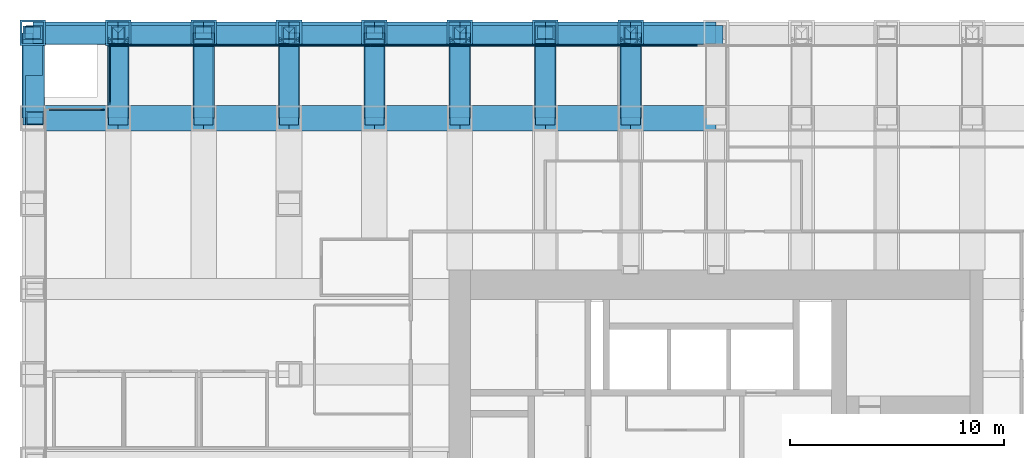
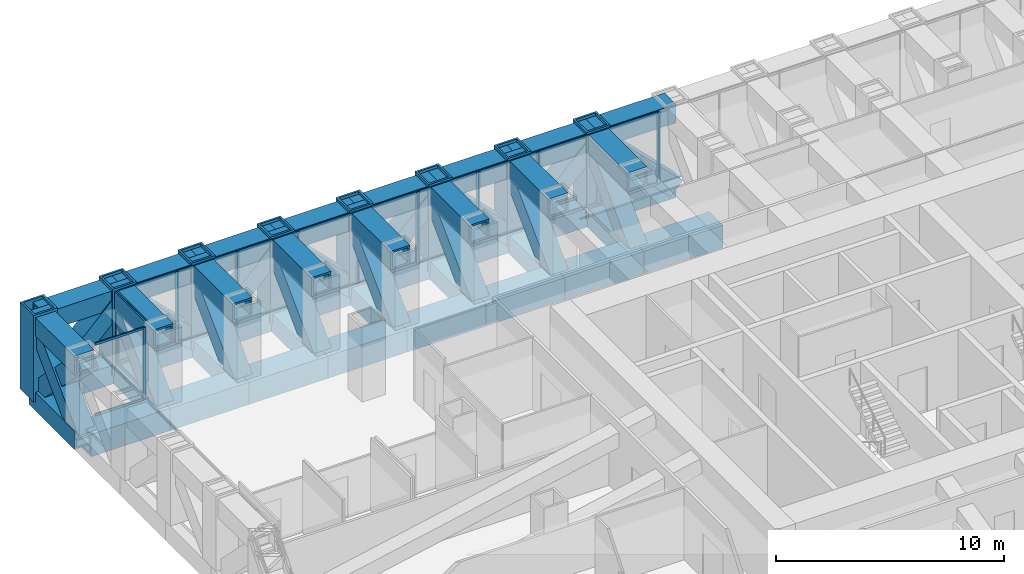
# One storey, part 8 of 18: 60 members, 40 beams, 3 elements without a shape of their own.
"""IFC4 building model written with IfcOpenShell, lengths in metres."""

from ifc_helpers import new_model, si_unit, direction, frame, origin, origin_2d, place, context, subcontext, project, spatial, rectangle, hollow_rectangle, extrude, material, material_profile, profile_set, type_object, element, aggregate, save


model = new_model("IFC4")

# Units and contexts
model_context = context("Model", 3, precision=1e-05, world=origin(), true_north=direction((0.0, 1.0)))
body_context = subcontext(model_context, "Body", "Model", "MODEL_VIEW")
ifc_project = project(units=[si_unit("LENGTHUNIT", "METRE"), si_unit("AREAUNIT", "SQUARE_METRE"), si_unit("VOLUMEUNIT", "CUBIC_METRE"), si_unit("PLANEANGLEUNIT", "RADIAN"), si_unit("MASSUNIT", "GRAM", prefix="KILO")], contexts=[model_context])

# Site, building, storey
site_placement = place(None, origin())
site = spatial("IfcSite", under=ifc_project, at=site_placement, CompositionType="ELEMENT")
building_placement = place(site_placement, origin())
building = spatial("IfcBuilding", under=site, at=building_placement, Name="Rimbunsela Tower", CompositionType="ELEMENT")
storey_placement = place(building_placement, frame((0.0, 0.0, 43.0)))
storey = spatial("IfcBuildingStorey", under=building, at=storey_placement, Name="L10", CompositionType="ELEMENT", Elevation=43.0)

# Beams
ifc_material_1 = material(Name="Steel BJ 55 (fy 410 MPa)", Category="steel")
ifc_material_profile_1 = material_profile(ifc_material_1, hollow_rectangle(XDim=1.199951171875, YDim=1.199951171875, WallThickness=0.125, at=origin_2d()), Name="BOX 1200x1200x125")
ifc_profile_set_1 = profile_set([ifc_material_profile_1], Name="Steel BJ 55 (fy 410 MPa)")
beam_type_1 = type_object("IfcBeamType", Name="Beam BOX 1200x1200x125", PredefinedType="BEAM", material=ifc_profile_set_1)
for number, where, z_axis, x_axis, name in (
    (1, (-2.0, 44.0, -0.75), (1.0, 0.0, 0.0), (0.0, 1.0, 0.0), "Beam B4 L10"),
    (2, (2.0, 44.0, -0.75), (1.0, 0.0, 0.0), (0.0, 1.0, 0.0), "Beam B4 L10"),
    (3, (6.0, 44.0, -0.75), (1.0, 0.0, 0.0), (0.0, 1.0, 0.0), "Beam B4 L10"),
    (4, (10.0, 44.0, -0.75), (1.0, 0.0, 0.0), (0.0, 1.0, 0.0), "Beam B4 L10"),
    (5, (14.0, 44.0, -0.75), (1.0, 0.0, 0.0), (0.0, 1.0, 0.0), "Beam B4 L10"),
    (6, (18.0, 44.0, -0.75), (1.0, 0.0, 0.0), (0.0, 1.0, 0.0), "Beam B4 L10"),
    (7, (22.0, 44.0, -0.75), (1.0, 0.0, 0.0), (0.0, 1.0, 0.0), "Beam B4 L10"),
    (8, (26.0, 44.0, -0.75), (1.0, 0.0, 0.0), (0.0, 1.0, 0.0), "Beam B4 L10"),
):
    element("IfcBeam", number, at=place(storey_placement, frame(where, z_axis=z_axis, x_axis=x_axis)), inside=storey, type_object=beam_type_1, Name=name, PredefinedType="BEAM", context=body_context, shape_type="SweptSolid", body=[
        extrude(hollow_rectangle(XDim=1.199951171875, YDim=1.199951171875, WallThickness=0.125, at=origin_2d()), origin(), (0.0, 0.0, 1.0), 4.0),
    ])

# Curtain wall, members
ifc_material_2 = material(Name="Aluminium curtain wall", Category="aluminium")
curtain_wall_type_1 = type_object("IfcCurtainWallType", Name="Exoskeleton storey infill", PredefinedType="USERDEFINED", material=ifc_material_2)
curtain_wall_1_placement = place(storey_placement, origin())
curtain_wall_1 = element("IfcCurtainWall", 9, at=curtain_wall_1_placement, inside=storey, type_object=curtain_wall_type_1, Name="Exoskeleton storey infill L10", ObjectType="EXOSKELETON STOREY INFILL", PredefinedType="USERDEFINED")
ifc_material_3 = material(Name="Aluminium mullion", Category="aluminium")
ifc_material_profile_2 = material_profile(ifc_material_3, rectangle(XDim=0.06005859375, YDim=0.159912109375, at=origin_2d()), Name="Mullion 60x160")
ifc_profile_set_2 = profile_set([ifc_material_profile_2], Name="Aluminium mullion")
member_type_1 = type_object("IfcMemberType", Name="Curtain wall mullion 60x160", PredefinedType="MULLION", material=ifc_profile_set_2)
member_1_placement = place(storey_placement, frame((29.050048828125, 47.39990234375, 0.0), z_axis=(0.0, 0.0, 1.0), x_axis=(0.0, -1.0, 0.0)))
member_1 = element("IfcMember", 10, at=member_1_placement, type_object=member_type_1, Name="CW2 mullion 8", PredefinedType="MULLION", context=body_context, shape_type="SweptSolid", body=[
    extrude(rectangle(XDim=0.06005859375, YDim=0.159912109375, at=origin_2d()), origin(), (0.0, 0.0, 1.0), 3.85009765625),
])
member_2_placement = place(storey_placement, frame((26.0, 47.39990234375, 0.0), z_axis=(0.0, 0.0, 1.0), x_axis=(0.0, -1.0, 0.0)))
member_2 = element("IfcMember", 11, at=member_2_placement, type_object=member_type_1, Name="CW2 mullion 9", PredefinedType="MULLION", context=body_context, shape_type="SweptSolid", body=[
    extrude(rectangle(XDim=0.06005859375, YDim=0.159912109375, at=origin_2d()), origin(), (0.0, 0.0, 1.0), 3.85009765625),
])
member_3_placement = place(storey_placement, frame((22.949951171875, 47.39990234375, 0.0), z_axis=(0.0, 0.0, 1.0), x_axis=(0.0, -1.0, 0.0)))
member_3 = element("IfcMember", 12, at=member_3_placement, type_object=member_type_1, Name="CW2 mullion 10", PredefinedType="MULLION", context=body_context, shape_type="SweptSolid", body=[
    extrude(rectangle(XDim=0.06005859375, YDim=0.159912109375, at=origin_2d()), origin(), (0.0, 0.0, 1.0), 3.85009765625),
])
member_4_placement = place(storey_placement, frame((19.89990234375, 47.39990234375, 0.0), z_axis=(0.0, 0.0, 1.0), x_axis=(0.0, -1.0, 0.0)))
member_4 = element("IfcMember", 13, at=member_4_placement, type_object=member_type_1, Name="CW2 mullion 11", PredefinedType="MULLION", context=body_context, shape_type="SweptSolid", body=[
    extrude(rectangle(XDim=0.06005859375, YDim=0.159912109375, at=origin_2d()), origin(), (0.0, 0.0, 1.0), 3.85009765625),
])
member_5_placement = place(storey_placement, frame((16.85009765625, 47.39990234375, 0.0), z_axis=(0.0, 0.0, 1.0), x_axis=(0.0, -1.0, 0.0)))
member_5 = element("IfcMember", 14, at=member_5_placement, type_object=member_type_1, Name="CW2 mullion 12", PredefinedType="MULLION", context=body_context, shape_type="SweptSolid", body=[
    extrude(rectangle(XDim=0.06005859375, YDim=0.159912109375, at=origin_2d()), origin(), (0.0, 0.0, 1.0), 3.85009765625),
])
member_6_placement = place(storey_placement, frame((13.800048828125, 47.39990234375, 0.0), z_axis=(0.0, 0.0, 1.0), x_axis=(0.0, -1.0, 0.0)))
member_6 = element("IfcMember", 15, at=member_6_placement, type_object=member_type_1, Name="CW2 mullion 13", PredefinedType="MULLION", context=body_context, shape_type="SweptSolid", body=[
    extrude(rectangle(XDim=0.06005859375, YDim=0.159912109375, at=origin_2d()), origin(), (0.0, 0.0, 1.0), 3.85009765625),
])
member_7_placement = place(storey_placement, frame((10.75, 47.39990234375, 0.0), z_axis=(0.0, 0.0, 1.0), x_axis=(0.0, -1.0, 0.0)))
member_7 = element("IfcMember", 16, at=member_7_placement, type_object=member_type_1, Name="CW2 mullion 14", PredefinedType="MULLION", context=body_context, shape_type="SweptSolid", body=[
    extrude(rectangle(XDim=0.06005859375, YDim=0.159912109375, at=origin_2d()), origin(), (0.0, 0.0, 1.0), 3.85009765625),
])
member_8_placement = place(storey_placement, frame((7.699951171875, 47.39990234375, 0.0), z_axis=(0.0, 0.0, 1.0), x_axis=(0.0, -1.0, 0.0)))
member_8 = element("IfcMember", 17, at=member_8_placement, type_object=member_type_1, Name="CW2 mullion 15", PredefinedType="MULLION", context=body_context, shape_type="SweptSolid", body=[
    extrude(rectangle(XDim=0.06005859375, YDim=0.159912109375, at=origin_2d()), origin(), (0.0, 0.0, 1.0), 3.85009765625),
])
member_9_placement = place(storey_placement, frame((4.64990234375, 47.39990234375, 0.0), z_axis=(0.0, 0.0, 1.0), x_axis=(0.0, -1.0, 0.0)))
member_9 = element("IfcMember", 18, at=member_9_placement, type_object=member_type_1, Name="CW2 mullion 16", PredefinedType="MULLION", context=body_context, shape_type="SweptSolid", body=[
    extrude(rectangle(XDim=0.06005859375, YDim=0.159912109375, at=origin_2d()), origin(), (0.0, 0.0, 1.0), 3.85009765625),
])
member_10_placement = place(storey_placement, frame((1.6298828125, 47.39990234375, 0.0), z_axis=(0.0, 0.0, 1.0), x_axis=(0.0, -1.0, 0.0)))
member_10 = element("IfcMember", 19, at=member_10_placement, type_object=member_type_1, Name="CW2 mullion 17", PredefinedType="MULLION", context=body_context, shape_type="SweptSolid", body=[
    extrude(rectangle(XDim=0.06005859375, YDim=0.159912109375, at=origin_2d()), origin(), (0.0, 0.0, 1.0), 3.85009765625),
])

ifc_material_4 = material(Name="Aluminium curtain wall", Category="aluminium")
curtain_wall_type_2 = type_object("IfcCurtainWallType", Name="Spandrel wall", PredefinedType="USERDEFINED", material=ifc_material_4)
curtain_wall_2_placement = place(storey_placement, origin())
curtain_wall_2 = element("IfcCurtainWall", 20, at=curtain_wall_2_placement, inside=storey, type_object=curtain_wall_type_2, Name="Spandrel wall L10", ObjectType="SPANDREL WALL", PredefinedType="USERDEFINED")
member_11_placement = place(storey_placement, frame((1.60009765625, 47.3701171875, 0.0), z_axis=(0.0, 0.0, 1.0), x_axis=(1.0, 0.0, 0.0)))
member_11 = element("IfcMember", 21, at=member_11_placement, type_object=member_type_1, Name="CW7 mullion 1", PredefinedType="MULLION", context=body_context, shape_type="SweptSolid", body=[
    extrude(rectangle(XDim=0.06005859375, YDim=0.159912109375, at=origin_2d()), origin(), (0.0, 0.0, 1.0), 3.85009765625),
])
member_12_placement = place(storey_placement, frame((1.60009765625, 44.72998046875, 0.0), z_axis=(0.0, 0.0, 1.0), x_axis=(1.0, 0.0, 0.0)))
member_12 = element("IfcMember", 22, at=member_12_placement, type_object=member_type_1, Name="CW7 mullion 2", PredefinedType="MULLION", context=body_context, shape_type="SweptSolid", body=[
    extrude(rectangle(XDim=0.06005859375, YDim=0.159912109375, at=origin_2d()), origin(), (0.0, 0.0, 1.0), 3.85009765625),
])

# Curtain wall, member
ifc_material_5 = material(Name="Aluminium curtain wall", Category="aluminium")
curtain_wall_type_3 = type_object("IfcCurtainWallType", Name="Corner glazing", PredefinedType="USERDEFINED", material=ifc_material_5)
curtain_wall_3_placement = place(storey_placement, origin())
curtain_wall_3 = element("IfcCurtainWall", 23, at=curtain_wall_3_placement, inside=storey, type_object=curtain_wall_type_3, Name="Corner glazing L10", ObjectType="CORNER GLAZING", PredefinedType="USERDEFINED")
member_13_placement = place(storey_placement, frame((1.27001953125, 44.39990234375, 0.0), z_axis=(0.0, 0.0, 1.0), x_axis=(0.0, -1.0, 0.0)))
member_13 = element("IfcMember", 24, at=member_13_placement, type_object=member_type_1, Name="CW5 mullion 1", PredefinedType="MULLION", context=body_context, shape_type="SweptSolid", body=[
    extrude(rectangle(XDim=0.06005859375, YDim=0.159912109375, at=origin_2d()), origin(), (0.0, 0.0, 1.0), 3.85009765625),
])

# Member
ifc_material_6 = material(Name="Aluminium transom", Category="aluminium")
ifc_material_profile_3 = material_profile(ifc_material_6, rectangle(XDim=0.06005859375, YDim=0.1201171875, at=origin_2d()), Name="Transom 60x120")
ifc_profile_set_3 = profile_set([ifc_material_profile_3], Name="Aluminium transom")
member_type_2 = type_object("IfcMemberType", Name="Curtain wall transom 60x120", PredefinedType="USERDEFINED", material=ifc_profile_set_3)
member_14_placement = place(storey_placement, frame((29.02001953125, 47.39990234375, 0.030029296875), z_axis=(-1.0, 0.0, 0.0), x_axis=(0.0, -1.0, 0.0)))
member_14 = element("IfcMember", 25, at=member_14_placement, type_object=member_type_2, Name="CW2 transom 8.1", ObjectType="TRANSOM", PredefinedType="USERDEFINED", context=body_context, shape_type="SweptSolid", body=[
    extrude(rectangle(XDim=0.06005859375, YDim=0.1201171875, at=origin_2d()), origin(), (0.0, 0.0, 1.0), 2.989990234375),
])

member_15_placement = place(storey_placement, frame((29.02001953125, 47.39990234375, 3.820068359375), z_axis=(-1.0, 0.0, 0.0), x_axis=(0.0, -1.0, 0.0)))
member_15 = element("IfcMember", 26, at=member_15_placement, type_object=member_type_2, Name="CW2 transom 8.2", ObjectType="TRANSOM", PredefinedType="USERDEFINED", context=body_context, shape_type="SweptSolid", body=[
    extrude(rectangle(XDim=0.06005859375, YDim=0.1201171875, at=origin_2d()), origin(), (0.0, 0.0, 1.0), 2.989990234375),
])

member_16_placement = place(storey_placement, frame((25.969970703125, 47.39990234375, 0.030029296875), z_axis=(-1.0, 0.0, 0.0), x_axis=(0.0, -1.0, 0.0)))
member_16 = element("IfcMember", 27, at=member_16_placement, type_object=member_type_2, Name="CW2 transom 9.1", ObjectType="TRANSOM", PredefinedType="USERDEFINED", context=body_context, shape_type="SweptSolid", body=[
    extrude(rectangle(XDim=0.06005859375, YDim=0.1201171875, at=origin_2d()), origin(), (0.0, 0.0, 1.0), 2.989990234375),
])

member_17_placement = place(storey_placement, frame((25.969970703125, 47.39990234375, 3.820068359375), z_axis=(-1.0, 0.0, 0.0), x_axis=(0.0, -1.0, 0.0)))
member_17 = element("IfcMember", 28, at=member_17_placement, type_object=member_type_2, Name="CW2 transom 9.2", ObjectType="TRANSOM", PredefinedType="USERDEFINED", context=body_context, shape_type="SweptSolid", body=[
    extrude(rectangle(XDim=0.06005859375, YDim=0.1201171875, at=origin_2d()), origin(), (0.0, 0.0, 1.0), 2.989990234375),
])

member_18_placement = place(storey_placement, frame((22.919921875, 47.39990234375, 0.030029296875), z_axis=(-1.0, 0.0, 0.0), x_axis=(0.0, -1.0, 0.0)))
member_18 = element("IfcMember", 29, at=member_18_placement, type_object=member_type_2, Name="CW2 transom 10.1", ObjectType="TRANSOM", PredefinedType="USERDEFINED", context=body_context, shape_type="SweptSolid", body=[
    extrude(rectangle(XDim=0.06005859375, YDim=0.1201171875, at=origin_2d()), origin(), (0.0, 0.0, 1.0), 2.989990234375),
])

member_19_placement = place(storey_placement, frame((22.919921875, 47.39990234375, 3.820068359375), z_axis=(-1.0, 0.0, 0.0), x_axis=(0.0, -1.0, 0.0)))
member_19 = element("IfcMember", 30, at=member_19_placement, type_object=member_type_2, Name="CW2 transom 10.2", ObjectType="TRANSOM", PredefinedType="USERDEFINED", context=body_context, shape_type="SweptSolid", body=[
    extrude(rectangle(XDim=0.06005859375, YDim=0.1201171875, at=origin_2d()), origin(), (0.0, 0.0, 1.0), 2.989990234375),
])

member_20_placement = place(storey_placement, frame((19.8701171875, 47.39990234375, 0.030029296875), z_axis=(-1.0, 0.0, 0.0), x_axis=(0.0, -1.0, 0.0)))
member_20 = element("IfcMember", 31, at=member_20_placement, type_object=member_type_2, Name="CW2 transom 11.1", ObjectType="TRANSOM", PredefinedType="USERDEFINED", context=body_context, shape_type="SweptSolid", body=[
    extrude(rectangle(XDim=0.06005859375, YDim=0.1201171875, at=origin_2d()), origin(), (0.0, 0.0, 1.0), 2.990234375),
])

member_21_placement = place(storey_placement, frame((19.8701171875, 47.39990234375, 3.820068359375), z_axis=(-1.0, 0.0, 0.0), x_axis=(0.0, -1.0, 0.0)))
member_21 = element("IfcMember", 32, at=member_21_placement, type_object=member_type_2, Name="CW2 transom 11.2", ObjectType="TRANSOM", PredefinedType="USERDEFINED", context=body_context, shape_type="SweptSolid", body=[
    extrude(rectangle(XDim=0.06005859375, YDim=0.1201171875, at=origin_2d()), origin(), (0.0, 0.0, 1.0), 2.990234375),
])

member_22_placement = place(storey_placement, frame((16.820068359375, 47.39990234375, 0.030029296875), z_axis=(-1.0, 0.0, 0.0), x_axis=(0.0, -1.0, 0.0)))
member_22 = element("IfcMember", 33, at=member_22_placement, type_object=member_type_2, Name="CW2 transom 12.1", ObjectType="TRANSOM", PredefinedType="USERDEFINED", context=body_context, shape_type="SweptSolid", body=[
    extrude(rectangle(XDim=0.06005859375, YDim=0.1201171875, at=origin_2d()), origin(), (0.0, 0.0, 1.0), 2.989990234375),
])

member_23_placement = place(storey_placement, frame((16.820068359375, 47.39990234375, 3.820068359375), z_axis=(-1.0, 0.0, 0.0), x_axis=(0.0, -1.0, 0.0)))
member_23 = element("IfcMember", 34, at=member_23_placement, type_object=member_type_2, Name="CW2 transom 12.2", ObjectType="TRANSOM", PredefinedType="USERDEFINED", context=body_context, shape_type="SweptSolid", body=[
    extrude(rectangle(XDim=0.06005859375, YDim=0.1201171875, at=origin_2d()), origin(), (0.0, 0.0, 1.0), 2.989990234375),
])

member_24_placement = place(storey_placement, frame((13.77001953125, 47.39990234375, 0.030029296875), z_axis=(-1.0, 0.0, 0.0), x_axis=(0.0, -1.0, 0.0)))
member_24 = element("IfcMember", 35, at=member_24_placement, type_object=member_type_2, Name="CW2 transom 13.1", ObjectType="TRANSOM", PredefinedType="USERDEFINED", context=body_context, shape_type="SweptSolid", body=[
    extrude(rectangle(XDim=0.06005859375, YDim=0.1201171875, at=origin_2d()), origin(), (0.0, 0.0, 1.0), 2.989990234375),
])

member_25_placement = place(storey_placement, frame((13.77001953125, 47.39990234375, 3.820068359375), z_axis=(-1.0, 0.0, 0.0), x_axis=(0.0, -1.0, 0.0)))
member_25 = element("IfcMember", 36, at=member_25_placement, type_object=member_type_2, Name="CW2 transom 13.2", ObjectType="TRANSOM", PredefinedType="USERDEFINED", context=body_context, shape_type="SweptSolid", body=[
    extrude(rectangle(XDim=0.06005859375, YDim=0.1201171875, at=origin_2d()), origin(), (0.0, 0.0, 1.0), 2.989990234375),
])

member_26_placement = place(storey_placement, frame((10.719970703125, 47.39990234375, 0.030029296875), z_axis=(-1.0, 0.0, 0.0), x_axis=(0.0, -1.0, 0.0)))
member_26 = element("IfcMember", 37, at=member_26_placement, type_object=member_type_2, Name="CW2 transom 14.1", ObjectType="TRANSOM", PredefinedType="USERDEFINED", context=body_context, shape_type="SweptSolid", body=[
    extrude(rectangle(XDim=0.06005859375, YDim=0.1201171875, at=origin_2d()), origin(), (0.0, 0.0, 1.0), 2.989990234375),
])

member_27_placement = place(storey_placement, frame((10.719970703125, 47.39990234375, 3.820068359375), z_axis=(-1.0, 0.0, 0.0), x_axis=(0.0, -1.0, 0.0)))
member_27 = element("IfcMember", 38, at=member_27_placement, type_object=member_type_2, Name="CW2 transom 14.2", ObjectType="TRANSOM", PredefinedType="USERDEFINED", context=body_context, shape_type="SweptSolid", body=[
    extrude(rectangle(XDim=0.06005859375, YDim=0.1201171875, at=origin_2d()), origin(), (0.0, 0.0, 1.0), 2.989990234375),
])

member_28_placement = place(storey_placement, frame((7.669921875, 47.39990234375, 0.030029296875), z_axis=(-1.0, 0.0, 0.0), x_axis=(0.0, -1.0, 0.0)))
member_28 = element("IfcMember", 39, at=member_28_placement, type_object=member_type_2, Name="CW2 transom 15.1", ObjectType="TRANSOM", PredefinedType="USERDEFINED", context=body_context, shape_type="SweptSolid", body=[
    extrude(rectangle(XDim=0.06005859375, YDim=0.1201171875, at=origin_2d()), origin(), (0.0, 0.0, 1.0), 2.989990234375),
])

member_29_placement = place(storey_placement, frame((7.669921875, 47.39990234375, 3.820068359375), z_axis=(-1.0, 0.0, 0.0), x_axis=(0.0, -1.0, 0.0)))
member_29 = element("IfcMember", 40, at=member_29_placement, type_object=member_type_2, Name="CW2 transom 15.2", ObjectType="TRANSOM", PredefinedType="USERDEFINED", context=body_context, shape_type="SweptSolid", body=[
    extrude(rectangle(XDim=0.06005859375, YDim=0.1201171875, at=origin_2d()), origin(), (0.0, 0.0, 1.0), 2.989990234375),
])

member_30_placement = place(storey_placement, frame((4.6201171875, 47.39990234375, 0.030029296875), z_axis=(-1.0, 0.0, 0.0), x_axis=(0.0, -1.0, 0.0)))
member_30 = element("IfcMember", 41, at=member_30_placement, type_object=member_type_2, Name="CW2 transom 16.1", ObjectType="TRANSOM", PredefinedType="USERDEFINED", context=body_context, shape_type="SweptSolid", body=[
    extrude(rectangle(XDim=0.06005859375, YDim=0.1201171875, at=origin_2d()), origin(), (0.0, 0.0, 1.0), 2.960205078125),
])

member_31_placement = place(storey_placement, frame((4.6201171875, 47.39990234375, 3.820068359375), z_axis=(-1.0, 0.0, 0.0), x_axis=(0.0, -1.0, 0.0)))
member_31 = element("IfcMember", 42, at=member_31_placement, type_object=member_type_2, Name="CW2 transom 16.2", ObjectType="TRANSOM", PredefinedType="USERDEFINED", context=body_context, shape_type="SweptSolid", body=[
    extrude(rectangle(XDim=0.06005859375, YDim=0.1201171875, at=origin_2d()), origin(), (0.0, 0.0, 1.0), 2.960205078125),
])

aggregate(curtain_wall_1, [member_1, member_2, member_3, member_4, member_5, member_6, member_7, member_8, member_9, member_10, member_14, member_15, member_16, member_17, member_18, member_19, member_20, member_21, member_22, member_23, member_24, member_25, member_26, member_27, member_28, member_29, member_30, member_31])

member_32_placement = place(storey_placement, frame((1.60009765625, 47.340087890625, 0.030029296875), z_axis=(0.0, -1.0, 0.0), x_axis=(1.0, 0.0, 0.0)))
member_32 = element("IfcMember", 43, at=member_32_placement, type_object=member_type_2, Name="CW7 transom 1.1", ObjectType="TRANSOM", PredefinedType="USERDEFINED", context=body_context, shape_type="SweptSolid", body=[
    extrude(rectangle(XDim=0.06005859375, YDim=0.1201171875, at=origin_2d()), origin(), (0.0, 0.0, 1.0), 2.580078125),
])

member_33_placement = place(storey_placement, frame((1.60009765625, 47.340087890625, 3.820068359375), z_axis=(0.0, -1.0, 0.0), x_axis=(1.0, 0.0, 0.0)))
member_33 = element("IfcMember", 44, at=member_33_placement, type_object=member_type_2, Name="CW7 transom 1.2", ObjectType="TRANSOM", PredefinedType="USERDEFINED", context=body_context, shape_type="SweptSolid", body=[
    extrude(rectangle(XDim=0.06005859375, YDim=0.1201171875, at=origin_2d()), origin(), (0.0, 0.0, 1.0), 2.580078125),
])

aggregate(curtain_wall_2, [member_11, member_12, member_32, member_33])

member_34_placement = place(storey_placement, frame((1.239990234375, 44.39990234375, 0.030029296875), z_axis=(-1.0, 0.0, 0.0), x_axis=(0.0, -1.0, 0.0)))
member_34 = element("IfcMember", 45, at=member_34_placement, type_object=member_type_2, Name="CW5 transom 1.1", ObjectType="TRANSOM", PredefinedType="USERDEFINED", context=body_context, shape_type="SweptSolid", body=[
    extrude(rectangle(XDim=0.06005859375, YDim=0.1201171875, at=origin_2d()), origin(), (0.0, 0.0, 1.0), 2.47998046875),
])

member_35_placement = place(storey_placement, frame((1.239990234375, 44.39990234375, 3.820068359375), z_axis=(-1.0, 0.0, 0.0), x_axis=(0.0, -1.0, 0.0)))
member_35 = element("IfcMember", 46, at=member_35_placement, type_object=member_type_2, Name="CW5 transom 1.2", ObjectType="TRANSOM", PredefinedType="USERDEFINED", context=body_context, shape_type="SweptSolid", body=[
    extrude(rectangle(XDim=0.06005859375, YDim=0.1201171875, at=origin_2d()), origin(), (0.0, 0.0, 1.0), 2.47998046875),
])

aggregate(curtain_wall_3, [member_13, member_34, member_35])

# Beams
ifc_material_7 = material(Name="Steel BJ 55 (fy 410 MPa)", Category="steel")
ifc_material_profile_4 = material_profile(ifc_material_7, hollow_rectangle(XDim=1.0, YDim=1.0, WallThickness=0.10009765625, at=origin_2d()), Name="BOX 1000x1000x100")
ifc_profile_set_4 = profile_set([ifc_material_profile_4], Name="Steel BJ 55 (fy 410 MPa)")
beam_type_2 = type_object("IfcBeamType", Name="Truss chord BOX 1000x1000x100", PredefinedType="USERDEFINED", material=ifc_profile_set_4)
for number, where, z_axis, x_axis, name in (
    (47, (-2.0, 48.0, 3.35009765625), (1.0, 0.0, 0.0), (0.0, 1.0, 0.0), "Truss top chord TC1 N face L10"),
    (48, (2.0, 48.0, 3.35009765625), (1.0, 0.0, 0.0), (0.0, 1.0, 0.0), "Truss top chord TC1 N face L10"),
    (49, (6.0, 48.0, 3.35009765625), (1.0, 0.0, 0.0), (0.0, 1.0, 0.0), "Truss top chord TC1 N face L10"),
    (50, (10.0, 48.0, 3.35009765625), (1.0, 0.0, 0.0), (0.0, 1.0, 0.0), "Truss top chord TC1 N face L10"),
    (51, (14.0, 48.0, 3.35009765625), (1.0, 0.0, 0.0), (0.0, 1.0, 0.0), "Truss top chord TC1 N face L10"),
    (52, (18.0, 48.0, 3.35009765625), (1.0, 0.0, 0.0), (0.0, 1.0, 0.0), "Truss top chord TC1 N face L10"),
    (53, (22.0, 48.0, 3.35009765625), (1.0, 0.0, 0.0), (0.0, 1.0, 0.0), "Truss top chord TC1 N face L10"),
    (54, (26.0, 48.0, 3.35009765625), (1.0, 0.0, 0.0), (0.0, 1.0, 0.0), "Truss top chord TC1 N face L10"),
    (55, (-2.0, 44.0, 3.35009765625), (0.0, 1.0, 0.0), (-1.0, 0.0, 0.0), "Truss top chord TC1 W face L10"),
    (56, (-2.0, 44.0, -0.64990234375), (0.0, 1.0, 0.0), (-1.0, 0.0, 0.0), "Truss bottom chord TC1 W face L10"),
    (57, (2.0, 44.0, -0.64990234375), (0.0, 1.0, 0.0), (-1.0, 0.0, 0.0), "Cantilever truss bottom chord TC1 3/P L10"),
    (58, (2.0, 44.0, 3.35009765625), (0.0, 1.0, 0.0), (-1.0, 0.0, 0.0), "Cantilever truss top chord TC1 3/P L10"),
    (59, (6.0, 44.0, -0.64990234375), (0.0, 1.0, 0.0), (-1.0, 0.0, 0.0), "Cantilever truss bottom chord TC1 4/P L10"),
    (60, (6.0, 44.0, 3.35009765625), (0.0, 1.0, 0.0), (-1.0, 0.0, 0.0), "Cantilever truss top chord TC1 4/P L10"),
    (61, (10.0, 44.0, -0.64990234375), (0.0, 1.0, 0.0), (-1.0, 0.0, 0.0), "Cantilever truss bottom chord TC1 5/P L10"),
    (62, (10.0, 44.0, 3.35009765625), (0.0, 1.0, 0.0), (-1.0, 0.0, 0.0), "Cantilever truss top chord TC1 5/P L10"),
    (63, (14.0, 44.0, -0.64990234375), (0.0, 1.0, 0.0), (-1.0, 0.0, 0.0), "Cantilever truss bottom chord TC1 6/P L10"),
    (64, (14.0, 44.0, 3.35009765625), (0.0, 1.0, 0.0), (-1.0, 0.0, 0.0), "Cantilever truss top chord TC1 6/P L10"),
    (65, (18.0, 44.0, -0.64990234375), (0.0, 1.0, 0.0), (-1.0, 0.0, 0.0), "Cantilever truss bottom chord TC1 7/P L10"),
    (66, (18.0, 44.0, 3.35009765625), (0.0, 1.0, 0.0), (-1.0, 0.0, 0.0), "Cantilever truss top chord TC1 7/P L10"),
    (67, (22.0, 44.0, -0.64990234375), (0.0, 1.0, 0.0), (-1.0, 0.0, 0.0), "Cantilever truss bottom chord TC1 8/P L10"),
    (68, (22.0, 44.0, 3.35009765625), (0.0, 1.0, 0.0), (-1.0, 0.0, 0.0), "Cantilever truss top chord TC1 8/P L10"),
    (69, (26.0, 44.0, -0.64990234375), (0.0, 1.0, 0.0), (-1.0, 0.0, 0.0), "Cantilever truss bottom chord TC1 9/P L10"),
    (70, (26.0, 44.0, 3.35009765625), (0.0, 1.0, 0.0), (-1.0, 0.0, 0.0), "Cantilever truss top chord TC1 9/P L10"),
    (71, (-2.0, 48.0, -0.64990234375), (1.0, 0.0, 0.0), (0.0, 1.0, 0.0), "Truss bottom chord TC1 N face L10"),
    (72, (2.0, 48.0, -0.64990234375), (1.0, 0.0, 0.0), (0.0, 1.0, 0.0), "Truss bottom chord TC1 N face L10"),
    (73, (6.0, 48.0, -0.64990234375), (1.0, 0.0, 0.0), (0.0, 1.0, 0.0), "Truss bottom chord TC1 N face L10"),
    (74, (10.0, 48.0, -0.64990234375), (1.0, 0.0, 0.0), (0.0, 1.0, 0.0), "Truss bottom chord TC1 N face L10"),
    (75, (14.0, 48.0, -0.64990234375), (1.0, 0.0, 0.0), (0.0, 1.0, 0.0), "Truss bottom chord TC1 N face L10"),
    (76, (18.0, 48.0, -0.64990234375), (1.0, 0.0, 0.0), (0.0, 1.0, 0.0), "Truss bottom chord TC1 N face L10"),
    (77, (22.0, 48.0, -0.64990234375), (1.0, 0.0, 0.0), (0.0, 1.0, 0.0), "Truss bottom chord TC1 N face L10"),
    (78, (26.0, 48.0, -0.64990234375), (1.0, 0.0, 0.0), (0.0, 1.0, 0.0), "Truss bottom chord TC1 N face L10"),
):
    element("IfcBeam", number, at=place(storey_placement, frame(where, z_axis=z_axis, x_axis=x_axis)), inside=storey, type_object=beam_type_2, Name=name, ObjectType="TRUSS CHORD", PredefinedType="USERDEFINED", context=body_context, shape_type="SweptSolid", body=[
        extrude(hollow_rectangle(XDim=1.0, YDim=1.0, WallThickness=0.10009765625, at=origin_2d()), origin(), (0.0, 0.0, 1.0), 4.0),
    ])

# Members
ifc_material_8 = material(Name="Steel BJ 55 (fy 410 MPa)", Category="steel")
ifc_material_profile_5 = material_profile(ifc_material_8, hollow_rectangle(XDim=0.89990234375, YDim=0.89990234375, WallThickness=0.080078125, at=origin_2d()), Name="BOX 900x900x80")
ifc_profile_set_5 = profile_set([ifc_material_profile_5], Name="Steel BJ 55 (fy 410 MPa)")
member_type_3 = type_object("IfcMemberType", Name="Truss diagonal BOX 900x900x80", PredefinedType="BRACE", material=ifc_profile_set_5)
for number, where, z_axis, x_axis, name in (
    (79, (-2.0, 47.89990234375, -0.64990234375), (0.707106781187, 0.0, 0.707106781187), (0.0, 1.0, 0.0), "Truss diagonal TD1 N face L10"),
    (80, (2.0, 47.89990234375, 3.35009765625), (0.707106781187, 0.0, -0.707106781187), (0.0, 1.0, 0.0), "Truss diagonal TD1 N face L10"),
    (81, (6.0, 47.89990234375, -0.64990234375), (0.707106781187, 0.0, 0.707106781187), (0.0, 1.0, 0.0), "Truss diagonal TD1 N face L10"),
    (82, (10.0, 47.89990234375, 3.35009765625), (0.707106781187, 0.0, -0.707106781187), (0.0, 1.0, 0.0), "Truss diagonal TD1 N face L10"),
    (83, (14.0, 47.89990234375, -0.64990234375), (0.707106781187, 0.0, 0.707106781187), (0.0, 1.0, 0.0), "Truss diagonal TD1 N face L10"),
    (84, (18.0, 47.89990234375, 3.35009765625), (0.707106781187, 0.0, -0.707106781187), (0.0, 1.0, 0.0), "Truss diagonal TD1 N face L10"),
    (85, (22.0, 47.89990234375, -0.64990234375), (0.707106781187, 0.0, 0.707106781187), (0.0, 1.0, 0.0), "Truss diagonal TD1 N face L10"),
    (86, (26.0, 47.89990234375, 3.35009765625), (0.707106781187, 0.0, -0.707106781187), (0.0, 1.0, 0.0), "Truss diagonal TD1 N face L10"),
    (87, (-1.89990234375, 44.0, 3.35009765625), (0.0, 0.707106781187, -0.707106781187), (-1.0, 0.0, 0.0), "Truss diagonal TD1 W face L10"),
    (88, (-2.0, 44.0, -0.64990234375), (0.0, 0.707106781187, 0.707106781187), (-1.0, 0.0, 0.0), "Cantilever truss diagonal TD1 2/P L10"),
    (89, (2.0, 44.0, -0.64990234375), (0.0, 0.707106781187, 0.707106781187), (-1.0, 0.0, 0.0), "Cantilever truss diagonal TD1 3/P L10"),
    (90, (6.0, 44.0, -0.64990234375), (0.0, 0.707106781187, 0.707106781187), (-1.0, 0.0, 0.0), "Cantilever truss diagonal TD1 4/P L10"),
    (91, (10.0, 44.0, -0.64990234375), (0.0, 0.707106781187, 0.707106781187), (-1.0, 0.0, 0.0), "Cantilever truss diagonal TD1 5/P L10"),
    (92, (14.0, 44.0, -0.64990234375), (0.0, 0.707106781187, 0.707106781187), (-1.0, 0.0, 0.0), "Cantilever truss diagonal TD1 6/P L10"),
    (93, (18.0, 44.0, -0.64990234375), (0.0, 0.707106781187, 0.707106781187), (-1.0, 0.0, 0.0), "Cantilever truss diagonal TD1 7/P L10"),
    (94, (22.0, 44.0, -0.64990234375), (0.0, 0.707106781187, 0.707106781187), (-1.0, 0.0, 0.0), "Cantilever truss diagonal TD1 8/P L10"),
    (95, (26.0, 44.0, -0.64990234375), (0.0, 0.707106781187, 0.707106781187), (-1.0, 0.0, 0.0), "Cantilever truss diagonal TD1 9/P L10"),
):
    element("IfcMember", number, at=place(storey_placement, frame(where, z_axis=z_axis, x_axis=x_axis)), inside=storey, type_object=member_type_3, Name=name, PredefinedType="BRACE", context=body_context, shape_type="SweptSolid", body=[
        extrude(hollow_rectangle(XDim=0.89990234375, YDim=0.89990234375, WallThickness=0.080078125, at=origin_2d()), origin(), (0.0, 0.0, 1.0), 5.65673828125),
    ])
ifc_material_9 = material(Name="Steel BJ 55 (fy 410 MPa)", Category="steel")
ifc_material_profile_6 = material_profile(ifc_material_9, hollow_rectangle(XDim=1.199951171875, YDim=1.199951171875, WallThickness=0.10009765625, at=origin_2d()), Name="BOX 1200x1200x100")
ifc_profile_set_6 = profile_set([ifc_material_profile_6], Name="Steel BJ 55 (fy 410 MPa)")
member_type_4 = type_object("IfcMemberType", Name="Truss post BOX 1200x1200x100", PredefinedType="POST", material=ifc_profile_set_6)
for number, where, z_axis, x_axis, name in (
    (96, (-2.0, 48.0, -0.64990234375), (0.0, 0.0, 1.0), (1.0, 0.0, 0.0), "Truss post TP1 2/P L10"),
    (97, (2.0, 48.0, -0.64990234375), (0.0, 0.0, 1.0), (1.0, 0.0, 0.0), "Truss post TP1 3/P L10"),
    (98, (6.0, 48.0, -0.64990234375), (0.0, 0.0, 1.0), (1.0, 0.0, 0.0), "Truss post TP1 4/P L10"),
    (99, (10.0, 48.0, -0.64990234375), (0.0, 0.0, 1.0), (1.0, 0.0, 0.0), "Truss post TP1 5/P L10"),
    (100, (14.0, 48.0, -0.64990234375), (0.0, 0.0, 1.0), (1.0, 0.0, 0.0), "Truss post TP1 6/P L10"),
    (101, (18.0, 48.0, -0.64990234375), (0.0, 0.0, 1.0), (1.0, 0.0, 0.0), "Truss post TP1 7/P L10"),
    (102, (22.0, 48.0, -0.64990234375), (0.0, 0.0, 1.0), (1.0, 0.0, 0.0), "Truss post TP1 8/P L10"),
    (103, (26.0, 48.0, -0.64990234375), (0.0, 0.0, 1.0), (1.0, 0.0, 0.0), "Truss post TP1 9/P L10"),
):
    element("IfcMember", number, at=place(storey_placement, frame(where, z_axis=z_axis, x_axis=x_axis)), inside=storey, type_object=member_type_4, Name=name, PredefinedType="POST", context=body_context, shape_type="SweptSolid", body=[
        extrude(hollow_rectangle(XDim=1.199951171875, YDim=1.199951171875, WallThickness=0.10009765625, at=origin_2d()), origin(), (0.0, 0.0, 1.0), 4.64990234375),
    ])

save(model, "model.ifc")
